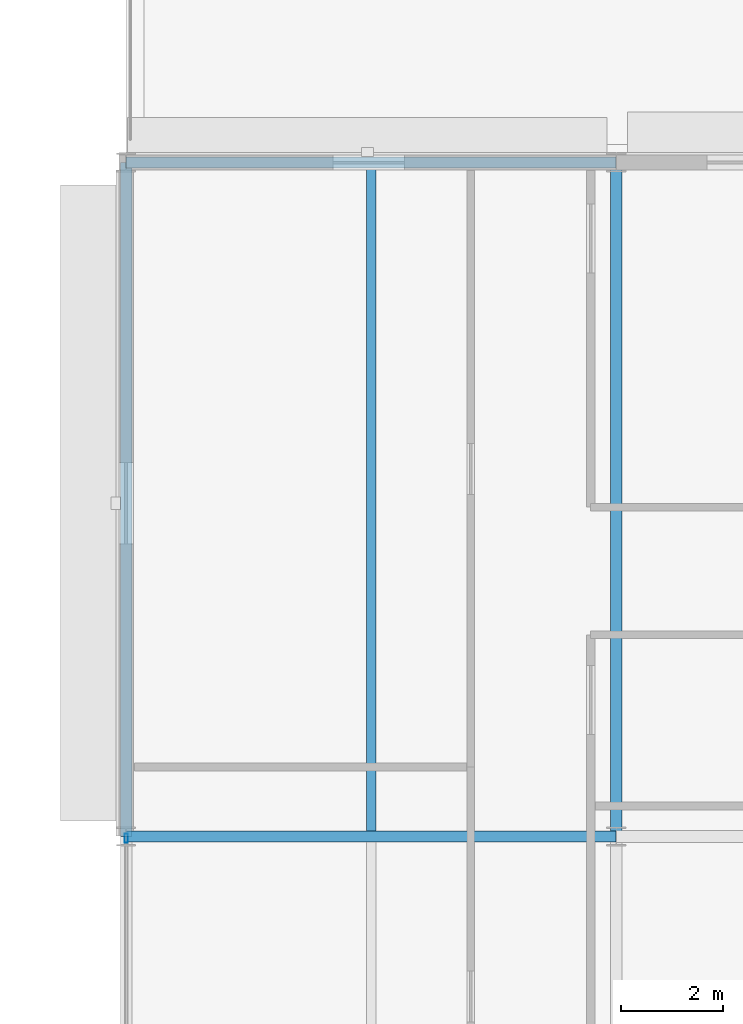
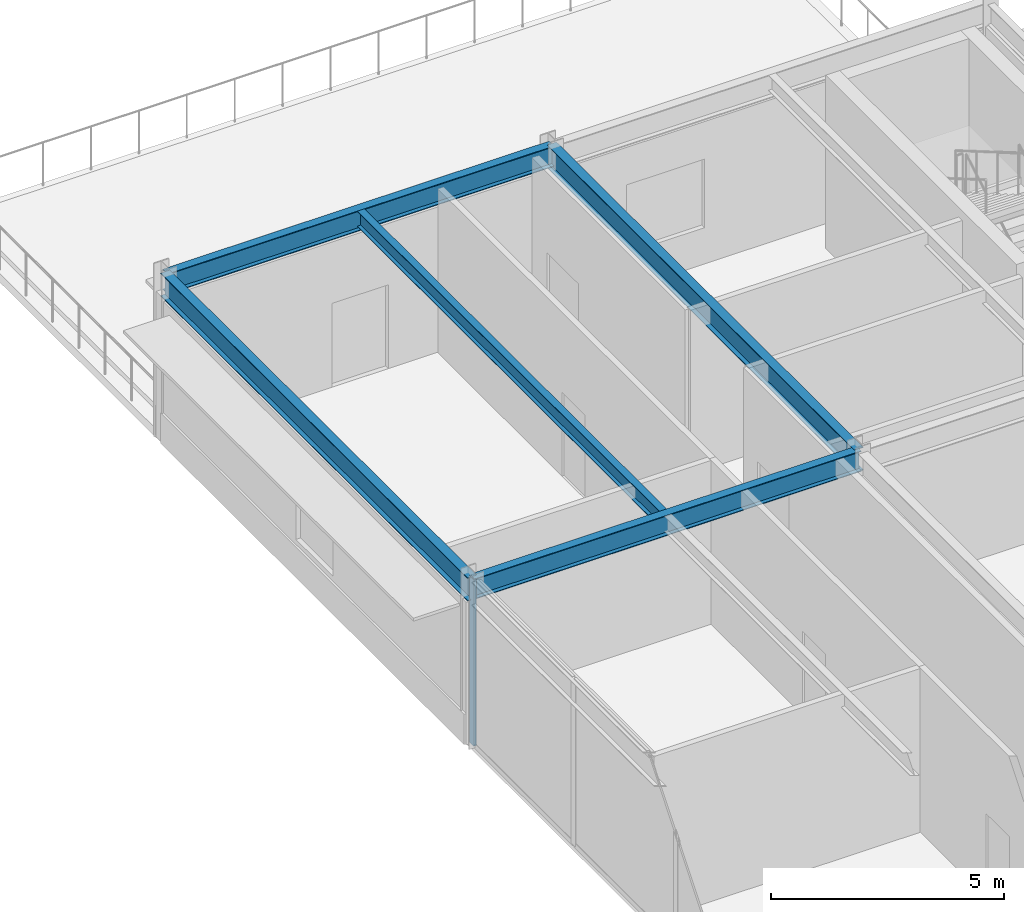
# One storey, part 54 of 89: 5 beams, 1 member, 1 element without a shape of its own.
"""IFC4 building model written with IfcOpenShell, lengths in metres."""

from ifc_helpers import new_model, si_unit, direction, frame, origin, origin_2d, place, context, subcontext, project, spatial, hollow_rectangle, i_section, extrude, material, material_profile, profile_set, type_object, element, aggregate, save


model = new_model("IFC4")

# Units and contexts
model_context = context("Model", 3, precision=1e-05, world=origin(), true_north=direction((0.0, 1.0)))
body_context = subcontext(model_context, "Body", "Model", "MODEL_VIEW")
ifc_project = project(units=[si_unit("LENGTHUNIT", "METRE"), si_unit("AREAUNIT", "SQUARE_METRE"), si_unit("VOLUMEUNIT", "CUBIC_METRE"), si_unit("PLANEANGLEUNIT", "RADIAN"), si_unit("MASSUNIT", "GRAM", prefix="KILO")], contexts=[model_context])

# Site, building, storey
site_placement = place(None, origin())
site = spatial("IfcSite", under=ifc_project, at=site_placement, CompositionType="ELEMENT")
building_placement = place(site_placement, origin())
building = spatial("IfcBuilding", under=site, at=building_placement, Name="Almandine Court Research Institute", CompositionType="ELEMENT")
storey_placement = place(building_placement, frame((0.0, 0.0, 18.89990234375)))
storey = spatial("IfcBuildingStorey", under=building, at=storey_placement, Name="L04", CompositionType="ELEMENT", Elevation=18.89990234375)

# Beams
ifc_material_1 = material(Name="Steel ASTM A992 Grade 50", Category="steel")
ifc_material_profile_1 = material_profile(ifc_material_1, i_section(OverallWidth=0.178955078125, OverallDepth=0.409912109375, WebThickness=0.009033203125, FlangeThickness=0.013916015625, at=origin_2d()), Name="W410x67")
ifc_profile_set_1 = profile_set([ifc_material_profile_1], Name="Steel ASTM A992 Grade 50")
beam_type_1 = type_object("IfcBeamType", Name="Beam-B-02", PredefinedType="JOIST", material=ifc_profile_set_1)
beam_placement = place(storey_placement, frame((158.39990234375, 70.903076171875, 4.1650390625), z_axis=(0.0, 1.0, 0.0), x_axis=(-1.0, 0.0, 0.0)))
element("IfcBeam", 1, at=beam_placement, inside=storey, type_object=beam_type_1, Name="L04 V4 Composite Secondary Beam", PredefinedType="JOIST", context=body_context, shape_type="SweptSolid", body=[
    extrude(i_section(OverallWidth=0.178955078125, OverallDepth=0.409912109375, WebThickness=0.009033203125, FlangeThickness=0.013916015625, at=origin_2d()), origin(), (0.0, 0.0, 1.0), 12.993896484375),
])
ifc_material_profile_2 = material_profile(ifc_material_1, i_section(OverallWidth=0.22802734375, OverallDepth=0.60791015625, WebThickness=0.010986328125, FlangeThickness=0.01708984375, at=origin_2d()), Name="W610x113")
ifc_profile_set_2 = profile_set([ifc_material_profile_2], Name="Steel ASTM A992 Grade 50")
beam_type_2 = type_object("IfcBeamType", Name="Beam-G-03", PredefinedType="BEAM", material=ifc_profile_set_2)
for number, where, z_axis, x_axis, name in (
    (2, (153.60009765625, 70.800048828125, 4.066162109375), (0.0, 1.0, 0.0), (-1.0, 0.0, 0.0), "L04 V4 Primary Y Girder"),
    (3, (163.199951171875, 70.800048828125, 4.066162109375), (0.0, 1.0, 0.0), (-1.0, 0.0, 0.0), "L04 V4 Primary Y Girder"),
):
    element("IfcBeam", number, at=place(storey_placement, frame(where, z_axis=z_axis, x_axis=x_axis)), inside=storey, type_object=beam_type_2, Name=name, PredefinedType="BEAM", context=body_context, shape_type="SweptSolid", body=[
        extrude(i_section(OverallWidth=0.22802734375, OverallDepth=0.60791015625, WebThickness=0.010986328125, FlangeThickness=0.01708984375, at=origin_2d()), origin(), (0.0, 0.0, 1.0), 13.199951171875),
    ])
ifc_material_profile_3 = material_profile(ifc_material_1, i_section(OverallWidth=0.2109375, OverallDepth=0.5390625, WebThickness=0.011962890625, FlangeThickness=0.01904296875, at=origin_2d()), Name="W530x109")
ifc_profile_set_3 = profile_set([ifc_material_profile_3], Name="Steel ASTM A992 Grade 50")
beam_type_3 = type_object("IfcBeamType", Name="Beam-G-04", PredefinedType="BEAM", material=ifc_profile_set_3)
for number, where, z_axis, x_axis, name in (
    (4, (153.60009765625, 70.800048828125, 4.10009765625), (1.0, 0.0, 0.0), (0.0, 1.0, 0.0), "L04 V4 Primary X Girder"),
    (5, (153.60009765625, 84.0, 4.10009765625), (1.0, 0.0, 0.0), (0.0, 1.0, 0.0), "L04 V4 Primary X Girder"),
):
    element("IfcBeam", number, at=place(storey_placement, frame(where, z_axis=z_axis, x_axis=x_axis)), inside=storey, type_object=beam_type_3, Name=name, PredefinedType="BEAM", context=body_context, shape_type="SweptSolid", body=[
        extrude(i_section(OverallWidth=0.2109375, OverallDepth=0.5390625, WebThickness=0.011962890625, FlangeThickness=0.01904296875, at=origin_2d()), origin(), (0.0, 0.0, 1.0), 9.599853515625),
    ])

# Curtain wall, member
ifc_material_2 = material(Name="Unitised Curtain Wall Framing and Solar Glazing", Category="glass")
curtain_wall_type = type_object("IfcCurtainWallType", Name="CW-CWJ-16", PredefinedType="USERDEFINED", material=ifc_material_2)
curtain_wall_placement = place(storey_placement, origin())
curtain_wall = element("IfcCurtainWall", 6, at=curtain_wall_placement, inside=storey, type_object=curtain_wall_type, Name="L04 Wet Lab West Courtyard Jali Curtain Wall 6", ObjectType="SOLAR JALI SCREEN", PredefinedType="USERDEFINED")
ifc_material_3 = material(Name="Anodised Aluminium AW-6063-T6", Category="aluminium")
ifc_material_profile_4 = material_profile(ifc_material_3, hollow_rectangle(XDim=0.06494140625, YDim=0.179931640625, WallThickness=0.00390625, at=origin_2d()), Name="ALU RHS 65x180x4")
ifc_profile_set_4 = profile_set([ifc_material_profile_4], Name="Anodised Aluminium AW-6063-T6")
member_type = type_object("IfcMemberType", Name="CWMul-65x180", PredefinedType="MULLION", material=ifc_profile_set_4)
member_placement = place(storey_placement, frame((153.60009765625, 70.763427734375, 0.0), z_axis=(0.0, 0.0, 1.0), x_axis=(-1.0, 0.0, 0.0)))
member = element("IfcMember", 7, at=member_placement, type_object=member_type, Name="CWJ-16 mullion 4", PredefinedType="MULLION", context=body_context, shape_type="SweptSolid", body=[
    extrude(hollow_rectangle(XDim=0.06494140625, YDim=0.179931640625, WallThickness=0.00390625, at=origin_2d()), origin(), (0.0, 0.0, 1.0), 4.3701171875),
])
aggregate(curtain_wall, [member])

save(model, "model.ifc")
